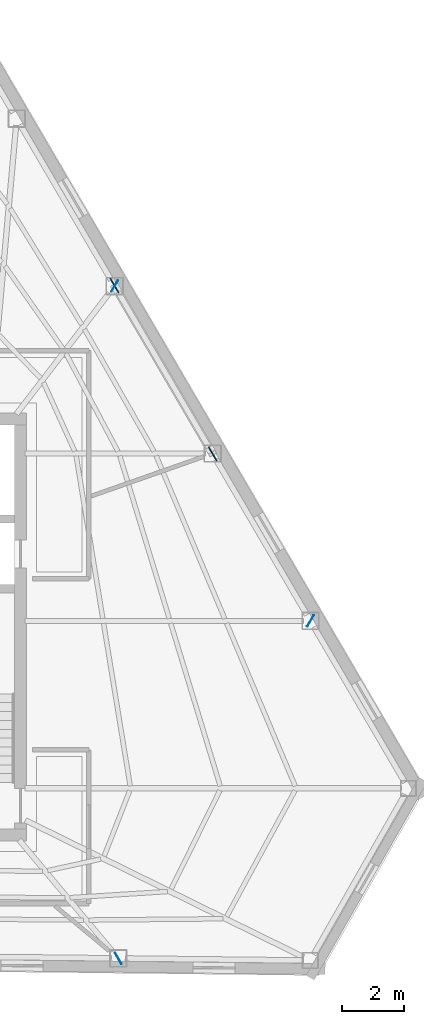
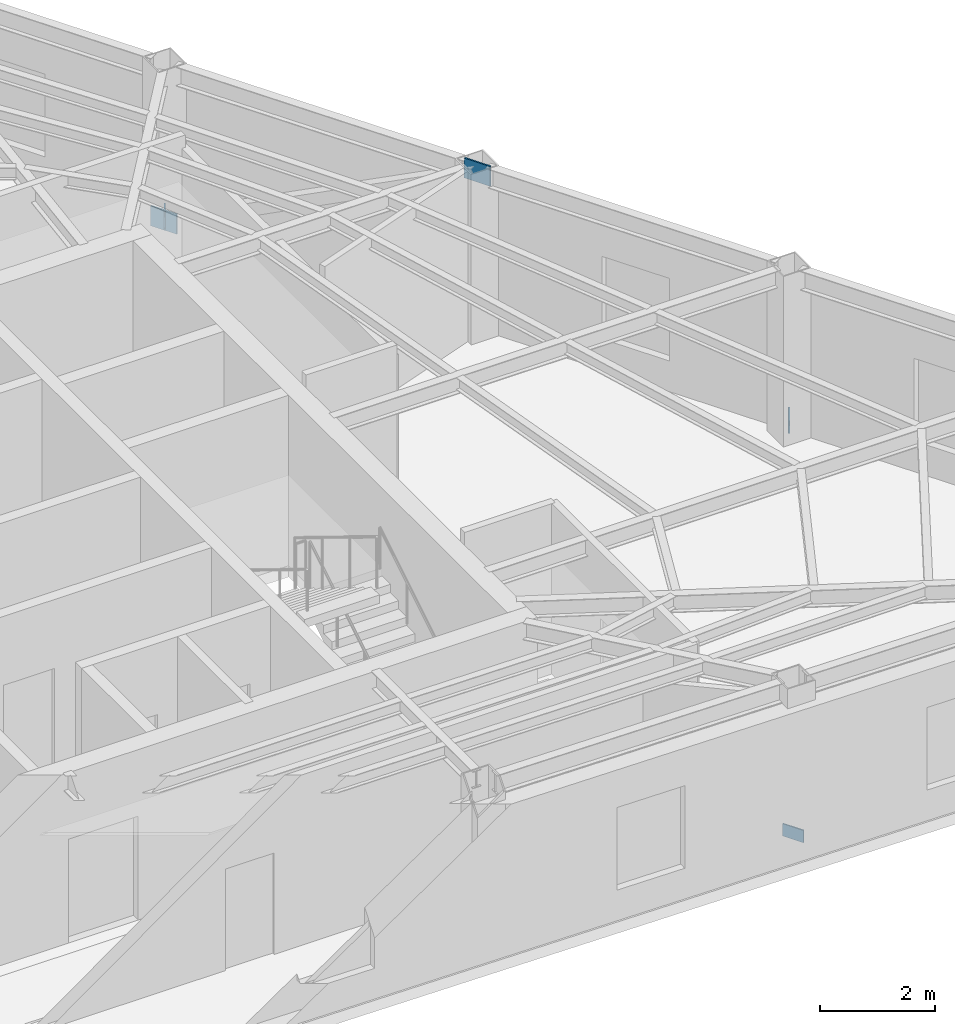
# One storey, part 5 of 10: 5 plates.
"""IFC4 building model written with IfcOpenShell, lengths in metres."""

import ifcopenshell
import ifcopenshell.guid

model = None  # the IFC model being written
_history = None  # IfcOwnerHistory: only IFC2X3 demands one
_inside = {}  # id of a spatial element -> (the spatial element, [elements in it])
_under = {}  # id of a project, library or spatial element -> (it, [spatial elements below it])
_declared = {}  # id of a project -> (the project, [libraries it declares])
_typed = {}  # id of a type object -> (the type object, [elements of that type])
_made_of = {}  # id of a material, layer set ... -> (it, [elements and type objects made of it])


def new_model(schema):
    """Start an empty IFC model of exactly this schema.

    Asked for "IFC4X3", IfcOpenShell would pick the latest addendum, in which some entities
    have other attributes; the version numbers below select the first issue.
    IFC2X3 requires an IfcOwnerHistory on every rooted entity: one is made here for all.
    """
    global model, _history
    if schema == "IFC4X3":
        model = ifcopenshell.file(schema_version=(4, 3, 0, 0))
    else:
        model = ifcopenshell.file(schema=schema)
    _inside.clear()
    _under.clear()
    _declared.clear()
    _typed.clear()
    _made_of.clear()
    _history = None
    if model.schema == "IFC2X3":
        org = make("IfcOrganization", Name="unknown")
        user = make(
            "IfcPersonAndOrganization",
            ThePerson=make("IfcPerson", FamilyName="unknown"),
            TheOrganization=org,
        )
        app = make(
            "IfcApplication",
            ApplicationDeveloper=org,
            Version="unknown",
            ApplicationFullName="unknown",
            ApplicationIdentifier="unknown",
        )
        _history = make(
            "IfcOwnerHistory",
            OwningUser=user,
            OwningApplication=app,
            ChangeAction="ADDED",
            CreationDate=0,
        )
    return model


def make(cls, **values):
    """One entity of the class cls with the attributes given. An attribute that is None is left unset."""
    return model.create_entity(
        cls, **{name: value for name, value in values.items() if value is not None}
    )


def rooted(cls, **values):
    """An entity with a GlobalId (a new one), such as an element, a storey or a relation."""
    return make(cls, GlobalId=ifcopenshell.guid.new(), OwnerHistory=_history, **values)


def si_unit(unit_type, name, prefix=None):
    """IfcSIUnit, for example si_unit("LENGTHUNIT", "METRE", prefix="MILLI")."""
    return make("IfcSIUnit", UnitType=unit_type, Prefix=prefix, Name=name)


def assignment(units):
    """IfcUnitAssignment: the units of a project."""
    return None if units is None else make("IfcUnitAssignment", Units=units)


def point(xyz):
    """IfcCartesianPoint."""
    return None if xyz is None else make("IfcCartesianPoint", Coordinates=xyz)


def direction(xyz):
    """IfcDirection."""
    return None if xyz is None else make("IfcDirection", DirectionRatios=xyz)


def frame(location, z_axis=None, x_axis=None):
    """IfcAxis2Placement3D, a coordinate frame: its origin and axes. An axis left out is left unset."""
    return make(
        "IfcAxis2Placement3D",
        Location=point(location),
        Axis=direction(z_axis),
        RefDirection=direction(x_axis),
    )


def frame_2d(location, x_axis=None):
    """IfcAxis2Placement2D, a coordinate frame in the plane: its origin and x axis."""
    return make(
        "IfcAxis2Placement2D", Location=point(location), RefDirection=direction(x_axis)
    )


def origin():
    """The frame at (0, 0, 0) with its axes left unset."""
    return frame((0.0, 0.0, 0.0))


def origin_2d():
    """The frame at (0, 0) in the plane with its x axis left unset."""
    return frame_2d((0.0, 0.0))


def place(relative_to, where):
    """IfcLocalPlacement: puts the frame where relative to a parent placement (None: the world)."""
    return make(
        "IfcLocalPlacement", PlacementRelTo=relative_to, RelativePlacement=where
    )


def context(
    kind, dimensions, precision=None, world=None, true_north=None, identifier=None
):
    """IfcGeometricRepresentationContext, for example the 3D "Model" context."""
    return make(
        "IfcGeometricRepresentationContext",
        ContextIdentifier=identifier,
        ContextType=kind,
        CoordinateSpaceDimension=dimensions,
        Precision=precision,
        WorldCoordinateSystem=world,
        TrueNorth=true_north,
    )


def subcontext(parent, identifier, kind, view, scale=None):
    """IfcGeometricRepresentationSubContext, for example "Body" below "Model"."""
    return make(
        "IfcGeometricRepresentationSubContext",
        ContextIdentifier=identifier,
        ContextType=kind,
        ParentContext=parent,
        TargetScale=scale,
        TargetView=view,
    )


def project(units=None, contexts=None):
    """IfcProject with its units and contexts."""
    return rooted(
        "IfcProject",
        Name="project",
        RepresentationContexts=contexts,
        UnitsInContext=assignment(units),
    )


def spatial(cls, under=None, at=None, **own):
    """A site, building, storey or space (cls), placed at a placement, below another one or the project."""
    s = rooted(cls, ObjectPlacement=at, **own)
    if under is not None:
        _under.setdefault(under.id(), (under, []))[1].append(s)
    return s


def profile(cls, at=None, kind="AREA", **sizes):
    """A parametric profile (cls). Its sizes go by their IFC names, for example OverallWidth=200.0."""
    return make(cls, ProfileType=kind, Position=at, **sizes)


def rectangle(**sizes):
    """IfcRectangleProfileDef."""
    return profile("IfcRectangleProfileDef", **sizes)


def extrude(swept, where, along, depth):
    """IfcExtrudedAreaSolid: the profile swept, set in the frame where, extruded along a direction by depth."""
    return make(
        "IfcExtrudedAreaSolid",
        SweptArea=swept,
        Position=where,
        ExtrudedDirection=direction(along),
        Depth=depth,
    )


def shape(context_of_items, identifier, shape_type, items):
    """IfcShapeRepresentation: the items that make up one representation, for example the "Body"."""
    return make(
        "IfcShapeRepresentation",
        ContextOfItems=context_of_items,
        RepresentationIdentifier=identifier,
        RepresentationType=shape_type,
        Items=items,
    )


def material(Name=None, Category=None):
    """IfcMaterial."""
    return make("IfcMaterial", Name=Name, Category=Category)


def layer(
    of_material, thickness, ventilated=None, Name=None, Category=None, Priority=None
):
    """IfcMaterialLayer: one layer of a wall or slab, of a material (None: an air gap)."""
    return make(
        "IfcMaterialLayer",
        Material=of_material,
        LayerThickness=thickness,
        IsVentilated=ventilated,
        Name=Name,
        Category=Category,
        Priority=Priority,
    )


def layer_set(layers, Name=None):
    """IfcMaterialLayerSet."""
    return make("IfcMaterialLayerSet", MaterialLayers=layers, LayerSetName=Name)


def made_of(thing, what):
    """Note that an element or type object is made of a material, layer set ...; save() writes the relation."""
    if what is not None:
        _made_of.setdefault(what.id(), (what, []))[1].append(thing)
    return thing


def type_object(cls, material=None, **own):
    """A type object (cls), such as IfcWallType, which elements share."""
    return made_of(rooted(cls, **own), material)


def element(
    cls,
    number,
    at=None,
    inside=None,
    cuts=None,
    type_object=None,
    material=None,
    context=None,
    identifier="Body",
    shape_type=None,
    held_by="IfcProductDefinitionShape",
    body=None,
    shapes=None,
    **own,
):
    """One element of the class cls, such as IfcWall. Its Tag is "e" and its number.

    at: its placement. inside: the storey or other place that contains it. cuts: it is an
    opening in that element (IfcRelVoidsElement). A single representation is given by context,
    identifier, shape_type and body (its items); several are given by shapes. held_by: the class
    of the entity that holds the representations. save() writes the other relations.
    """
    e = rooted(cls, Tag="e%d" % number, ObjectPlacement=at, **own)
    if body is not None:
        shapes = [shape(context, identifier, shape_type, body)]
    if shapes is not None:
        e.Representation = make(held_by, Representations=shapes)
    if inside is not None:
        _inside.setdefault(inside.id(), (inside, []))[1].append(e)
    if cuts is not None:
        rooted(
            "IfcRelVoidsElement", RelatingBuildingElement=cuts, RelatedOpeningElement=e
        )
    if type_object is not None:
        _typed.setdefault(type_object.id(), (type_object, []))[1].append(e)
    return made_of(e, material)


def aggregate(whole, parts):
    """IfcRelAggregates: a whole, such as a stair, and the parts it consists of."""
    return rooted("IfcRelAggregates", RelatingObject=whole, RelatedObjects=parts)


def save(model, path):
    """Write the relations noted so far, then the file.

    IfcRelAggregates (storeys below a building ...), IfcRelContainedInSpatialStructure (elements
    in a storey), IfcRelDefinesByType, IfcRelAssociatesMaterial and IfcRelDeclares: one each for
    every whole, place, type object, material and project.
    """
    for whole, parts in _under.values():
        aggregate(whole, parts)
    for where, things in _inside.values():
        rooted(
            "IfcRelContainedInSpatialStructure",
            RelatedElements=things,
            RelatingStructure=where,
        )
    for kind, things in _typed.values():
        rooted("IfcRelDefinesByType", RelatedObjects=things, RelatingType=kind)
    for what, things in _made_of.values():
        rooted("IfcRelAssociatesMaterial", RelatedObjects=things, RelatingMaterial=what)
    for by, libraries in _declared.values():
        rooted("IfcRelDeclares", RelatingContext=by, RelatedDefinitions=libraries)
    model.write(path)


model = new_model("IFC4")

# Units and contexts
model_context = context("Model", 3, precision=1e-05, world=origin(), true_north=direction((0.0, 1.0)))
body_context = subcontext(model_context, "Body", "Model", "MODEL_VIEW")
ifc_project = project(units=[si_unit("LENGTHUNIT", "METRE"), si_unit("AREAUNIT", "SQUARE_METRE"), si_unit("VOLUMEUNIT", "CUBIC_METRE"), si_unit("PLANEANGLEUNIT", "RADIAN"), si_unit("MASSUNIT", "GRAM", prefix="KILO")], contexts=[model_context])

# Site, building, storey
site_placement = place(None, origin())
site = spatial("IfcSite", under=ifc_project, at=site_placement, CompositionType="ELEMENT")
building_placement = place(site_placement, origin())
building = spatial("IfcBuilding", under=site, at=building_placement, Name="Kavelnor Concourse Tower", CompositionType="ELEMENT")
storey_placement = place(building_placement, frame((0.0, 0.0, 251.050048828125)))
storey = spatial("IfcBuildingStorey", under=building, at=storey_placement, Name="L63", CompositionType="ELEMENT", Elevation=251.050048828125)

# Plates
ifc_material = material(Name="Steel Grade 350", Category="steel")
ifc_layer_1 = layer(ifc_material, 0.031982421875, Name="Steel Grade 350")
ifc_layer_set_1 = layer_set([ifc_layer_1], Name="Steel Grade 350")
plate_type_1 = type_object("IfcPlateType", Name="PL-GUSSET-TUBE-Z1", PredefinedType="USERDEFINED", material=ifc_layer_set_1)
for number, where, z_axis, x_axis, name in (
    (1, (50.728271484375, 27.07373046875, 0.010009765625), (0.0, 0.0, 1.0), (0.504828974973, -0.863219384645, 0.0), "L63 Tube Brace Gusset GP3 F2-B2 End Gusset A"),
    (2, (53.888916015625, 21.668701171875, 3.197021484375), (0.0, 0.0, 1.0), (0.504828974973, -0.863219384645, 0.0), "L63 Tube Brace Gusset GP3 F2-B2 End Gusset B"),
):
    element("IfcPlate", number, at=place(storey_placement, frame(where, z_axis=z_axis, x_axis=x_axis)), inside=storey, type_object=plate_type_1, Name=name, ObjectType="GUSSET_PLATE", PredefinedType="USERDEFINED", context=body_context, shape_type="SweptSolid", body=[
        extrude(rectangle(XDim=0.52001953125, YDim=0.031982421875, at=origin_2d()), origin(), (0.0, 0.0, 1.0), 0.419921875),
    ])
ifc_layer_2 = layer(ifc_material, 0.02490234375, Name="Steel Grade 350")
ifc_layer_set_2 = layer_set([ifc_layer_2], Name="Steel Grade 350")
plate_type_2 = type_object("IfcPlateType", Name="PL-SPLICE-FLANGE", PredefinedType="SHEET", material=ifc_layer_set_2)
for number, where, z_axis, x_axis, name in (
    (3, (50.851318359375, 5.446044921875, 0.169921875), (0.0, 0.0, 1.0), (-0.5, 0.866025403784, 0.0), "L63 Column Flange Splice Plate F1-B5"),
    (4, (57.031494140625, 16.294921875, 0.169921875), (0.0, 0.0, 1.0), (-0.5, -0.866025403784, 0.0), "L63 Column Flange Splice Plate F2-B1"),
    (5, (50.734375, 27.063232421875, 0.169921875), (0.0, 0.0, 1.0), (-0.5, -0.866025403784, 0.0), "L63 Column Flange Splice Plate F2-B3"),
):
    element("IfcPlate", number, at=place(storey_placement, frame(where, z_axis=z_axis, x_axis=x_axis)), inside=storey, type_object=plate_type_2, Name=name, PredefinedType="SHEET", context=body_context, shape_type="SweptSolid", body=[
        extrude(rectangle(XDim=0.419921875, YDim=0.02490234375, at=origin_2d()), origin(), (0.0, 0.0, 1.0), 0.260009765625),
    ])

save(model, "model.ifc")
